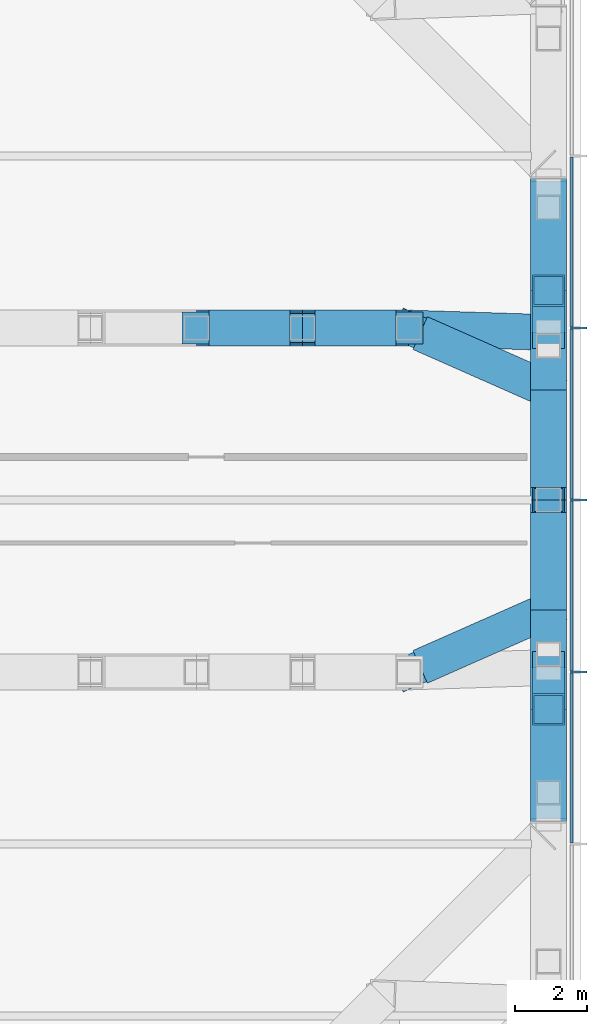
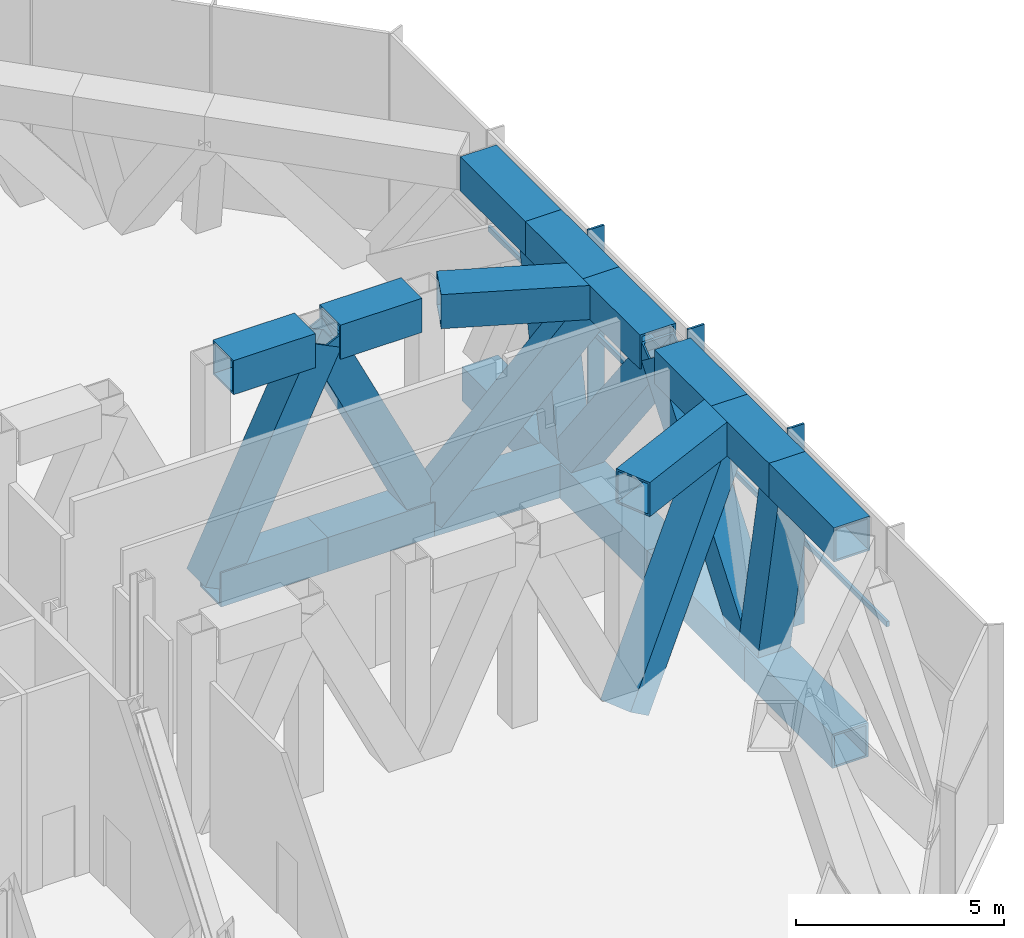
# One storey, part 6 of 17: 25 beams, 7 members, 1 element without a shape of its own.
"""IFC4 building model written with IfcOpenShell, lengths in metres."""

from ifc_helpers import new_model, si_unit, direction, frame, origin, origin_2d, place, context, subcontext, project, spatial, rectangle, hollow_rectangle, extrude, material, material_profile, profile_set, type_object, element, aggregate, save


model = new_model("IFC4")

# Units and contexts
model_context = context("Model", 3, precision=1e-05, world=origin(), true_north=direction((0.0, 1.0)))
body_context = subcontext(model_context, "Body", "Model", "MODEL_VIEW")
ifc_project = project(units=[si_unit("LENGTHUNIT", "METRE"), si_unit("AREAUNIT", "SQUARE_METRE"), si_unit("VOLUMEUNIT", "CUBIC_METRE"), si_unit("PLANEANGLEUNIT", "RADIAN"), si_unit("MASSUNIT", "GRAM", prefix="KILO")], contexts=[model_context])

# Site, building, storey
site_placement = place(None, origin())
site = spatial("IfcSite", under=ifc_project, at=site_placement, CompositionType="ELEMENT")
building_placement = place(site_placement, origin())
building = spatial("IfcBuilding", under=site, at=building_placement, Name="Cairn Pilgrim Tower", CompositionType="ELEMENT")
storey_placement = place(building_placement, frame((0.0, 0.0, 119.39990234375)))
storey = spatial("IfcBuildingStorey", under=building, at=storey_placement, Name="L29", CompositionType="ELEMENT", Elevation=119.39990234375)

# Beams
ifc_material_1 = material(Name="Structural steel S460M", Category="steel")
ifc_material_profile_1 = material_profile(ifc_material_1, hollow_rectangle(XDim=1.0, YDim=1.0, WallThickness=0.06005859375, at=origin_2d()), Name="BOX 1000x1000x60")
ifc_profile_set_1 = profile_set([ifc_material_profile_1], Name="Structural steel S460M")
beam_type_1 = type_object("IfcBeamType", Name="BOX 1000x1000x60 CHORD", PredefinedType="USERDEFINED", material=ifc_profile_set_1)
beam_1_placement = place(storey_placement, frame((35.10009765625, -4.170166015625, 5.35009765625), z_axis=(0.0, 1.0, 0.0), x_axis=(-1.0, 0.0, 0.0)))
element("IfcBeam", 1, at=beam_1_placement, inside=storey, type_object=beam_type_1, Name="BT29-E-TC1", ObjectType="CHORD", PredefinedType="USERDEFINED", context=body_context, shape_type="SweptSolid", body=[
    extrude(hollow_rectangle(XDim=1.0, YDim=1.0, WallThickness=0.06005859375, at=origin_2d()), origin(), (0.0, 0.0, 1.0), 3.126220703125),
])
beam_2_placement = place(storey_placement, frame((35.10009765625, -4.083984375, -0.75), z_axis=(0.0, 1.0, 0.0), x_axis=(-1.0, 0.0, 0.0)))
element("IfcBeam", 2, at=beam_2_placement, inside=storey, type_object=beam_type_1, Name="BT29-E-BC2", ObjectType="CHORD", PredefinedType="USERDEFINED", context=body_context, shape_type="SweptSolid", body=[
    extrude(hollow_rectangle(XDim=1.0, YDim=1.0, WallThickness=0.06005859375, at=origin_2d()), origin(), (0.0, 0.0, 1.0), 4.208251953125),
])
beam_3_placement = place(storey_placement, frame((35.10009765625, -1.0439453125, 5.35009765625), z_axis=(0.0, 1.0, 0.0), x_axis=(-1.0, 0.0, 0.0)))
element("IfcBeam", 3, at=beam_3_placement, inside=storey, type_object=beam_type_1, Name="BT29-E-TC2", ObjectType="CHORD", PredefinedType="USERDEFINED", context=body_context, shape_type="SweptSolid", body=[
    extrude(hollow_rectangle(XDim=1.0, YDim=1.0, WallThickness=0.06005859375, at=origin_2d()), origin(), (0.0, 0.0, 1.0), 2.768310546875),
])
beam_4_placement = place(storey_placement, frame((35.10009765625, 0.124267578125, -0.75), z_axis=(0.0, 1.0, 0.0), x_axis=(-1.0, 0.0, 0.0)))
element("IfcBeam", 4, at=beam_4_placement, inside=storey, type_object=beam_type_1, Name="BT29-E-BC3", ObjectType="CHORD", PredefinedType="USERDEFINED", context=body_context, shape_type="SweptSolid", body=[
    extrude(hollow_rectangle(XDim=1.0, YDim=1.0, WallThickness=0.06005859375, at=origin_2d()), origin(), (0.0, 0.0, 1.0), 4.67578125),
])
beam_5_placement = place(storey_placement, frame((35.10009765625, 1.724365234375, 5.35009765625), z_axis=(0.0, 1.0, 0.0), x_axis=(-1.0, 0.0, 0.0)))
element("IfcBeam", 5, at=beam_5_placement, inside=storey, type_object=beam_type_1, Name="BT29-E-TC3", ObjectType="CHORD", PredefinedType="USERDEFINED", context=body_context, shape_type="SweptSolid", body=[
    extrude(hollow_rectangle(XDim=1.0, YDim=1.0, WallThickness=0.06005859375, at=origin_2d()), origin(), (0.0, 0.0, 1.0), 2.7255859375),
])
beam_6_placement = place(storey_placement, frame((35.10009765625, 4.800048828125, -0.75), z_axis=(0.0, 1.0, 0.0), x_axis=(-1.0, 0.0, 0.0)))
element("IfcBeam", 6, at=beam_6_placement, inside=storey, type_object=beam_type_1, Name="BT29-E-BC4", ObjectType="CHORD", PredefinedType="USERDEFINED", context=body_context, shape_type="SweptSolid", body=[
    extrude(hollow_rectangle(XDim=1.0, YDim=1.0, WallThickness=0.06005859375, at=origin_2d()), origin(), (0.0, 0.0, 1.0), 4.675537109375),
])
beam_7_placement = place(storey_placement, frame((35.10009765625, 5.14990234375, 5.35009765625), z_axis=(0.0, 1.0, 0.0), x_axis=(-1.0, 0.0, 0.0)))
element("IfcBeam", 7, at=beam_7_placement, inside=storey, type_object=beam_type_1, Name="BT29-E-TC4", ObjectType="CHORD", PredefinedType="USERDEFINED", context=body_context, shape_type="SweptSolid", body=[
    extrude(hollow_rectangle(XDim=1.0, YDim=1.0, WallThickness=0.06005859375, at=origin_2d()), origin(), (0.0, 0.0, 1.0), 2.725830078125),
])
beam_8_placement = place(storey_placement, frame((35.10009765625, 9.4755859375, -0.75), z_axis=(0.0, 1.0, 0.0), x_axis=(-1.0, 0.0, 0.0)))
element("IfcBeam", 8, at=beam_8_placement, inside=storey, type_object=beam_type_1, Name="BT29-E-BC5", ObjectType="CHORD", PredefinedType="USERDEFINED", context=body_context, shape_type="SweptSolid", body=[
    extrude(hollow_rectangle(XDim=1.0, YDim=1.0, WallThickness=0.06005859375, at=origin_2d()), origin(), (0.0, 0.0, 1.0), 4.208251953125),
])
beam_9_placement = place(storey_placement, frame((35.10009765625, 7.875732421875, 5.35009765625), z_axis=(0.0, 1.0, 0.0), x_axis=(-1.0, 0.0, 0.0)))
element("IfcBeam", 9, at=beam_9_placement, inside=storey, type_object=beam_type_1, Name="BT29-E-TC5", ObjectType="CHORD", PredefinedType="USERDEFINED", context=body_context, shape_type="SweptSolid", body=[
    extrude(hollow_rectangle(XDim=1.0, YDim=1.0, WallThickness=0.06005859375, at=origin_2d()), origin(), (0.0, 0.0, 1.0), 2.76806640625),
])
beam_10_placement = place(storey_placement, frame((35.10009765625, 10.643798828125, 5.35009765625), z_axis=(0.0, 1.0, 0.0), x_axis=(-1.0, 0.0, 0.0)))
element("IfcBeam", 10, at=beam_10_placement, inside=storey, type_object=beam_type_1, Name="BT29-E-TC6", ObjectType="CHORD", PredefinedType="USERDEFINED", context=body_context, shape_type="SweptSolid", body=[
    extrude(hollow_rectangle(XDim=1.0, YDim=1.0, WallThickness=0.06005859375, at=origin_2d()), origin(), (0.0, 0.0, 1.0), 3.126220703125),
])
beam_11_placement = place(storey_placement, frame((31.52001953125, 0.1416015625, 5.35009765625), z_axis=(0.914604543737, 0.404349512892, 0.0), x_axis=(-0.404349512892, 0.914604543737, 0.0)))
element("IfcBeam", 11, at=beam_11_placement, inside=storey, type_object=beam_type_1, Name="TT29N0-TC5", ObjectType="CHORD", PredefinedType="USERDEFINED", context=body_context, shape_type="SweptSolid", body=[
    extrude(hollow_rectangle(XDim=1.0, YDim=1.0, WallThickness=0.06005859375, at=origin_2d()), origin(), (0.0, 0.0, 1.0), 3.914306640625),
])
beam_12_placement = place(storey_placement, frame((25.27490234375, 9.60009765625, -0.75), z_axis=(1.0, 0.0, 0.0), x_axis=(0.0, 1.0, 0.0)))
element("IfcBeam", 12, at=beam_12_placement, inside=storey, type_object=beam_type_1, Name="TT29N96-BC3", ObjectType="CHORD", PredefinedType="USERDEFINED", context=body_context, shape_type="SweptSolid", body=[
    extrude(hollow_rectangle(XDim=1.0, YDim=1.0, WallThickness=0.06005859375, at=origin_2d()), origin(), (0.0, 0.0, 1.0), 2.962646484375),
])
beam_13_placement = place(storey_placement, frame((25.625, 9.60009765625, 5.35009765625), z_axis=(1.0, 0.0, 0.0), x_axis=(0.0, 1.0, 0.0)))
element("IfcBeam", 13, at=beam_13_placement, inside=storey, type_object=beam_type_1, Name="TT29N96-TC3", ObjectType="CHORD", PredefinedType="USERDEFINED", context=body_context, shape_type="SweptSolid", body=[
    extrude(hollow_rectangle(XDim=1.0, YDim=1.0, WallThickness=0.06005859375, at=origin_2d()), origin(), (0.0, 0.0, 1.0), 2.262451171875),
])
beam_14_placement = place(storey_placement, frame((28.237548828125, 9.60009765625, -0.75), z_axis=(1.0, 0.0, 0.0), x_axis=(0.0, 1.0, 0.0)))
element("IfcBeam", 14, at=beam_14_placement, inside=storey, type_object=beam_type_1, Name="TT29N96-BC4", ObjectType="CHORD", PredefinedType="USERDEFINED", context=body_context, shape_type="SweptSolid", body=[
    extrude(hollow_rectangle(XDim=1.0, YDim=1.0, WallThickness=0.06005859375, at=origin_2d()), origin(), (0.0, 0.0, 1.0), 2.96240234375),
])
beam_15_placement = place(storey_placement, frame((28.58740234375, 9.60009765625, 5.35009765625), z_axis=(1.0, 0.0, 0.0), x_axis=(0.0, 1.0, 0.0)))
element("IfcBeam", 15, at=beam_15_placement, inside=storey, type_object=beam_type_1, Name="TT29N96-TC4", ObjectType="CHORD", PredefinedType="USERDEFINED", context=body_context, shape_type="SweptSolid", body=[
    extrude(hollow_rectangle(XDim=1.0, YDim=1.0, WallThickness=0.06005859375, at=origin_2d()), origin(), (0.0, 0.0, 1.0), 2.2626953125),
])
beam_16_placement = place(storey_placement, frame((31.199951171875, 9.60009765625, -0.75), z_axis=(0.999490790141, -0.031908626164, 0.0), x_axis=(0.031908626164, 0.999490790141, 0.0)))
element("IfcBeam", 16, at=beam_16_placement, inside=storey, type_object=beam_type_1, Name="TT29N96-BC5", ObjectType="CHORD", PredefinedType="USERDEFINED", context=body_context, shape_type="SweptSolid", body=[
    extrude(hollow_rectangle(XDim=1.0, YDim=1.0, WallThickness=0.06005859375, at=origin_2d()), origin(), (0.0, 0.0, 1.0), 3.902099609375),
])
beam_17_placement = place(storey_placement, frame((31.52001953125, 9.45849609375, 5.35009765625), z_axis=(0.914604543737, -0.404349512892, 0.0), x_axis=(0.404349512892, 0.914604543737, 0.0)))
element("IfcBeam", 17, at=beam_17_placement, inside=storey, type_object=beam_type_1, Name="TT29N96-TC5", ObjectType="CHORD", PredefinedType="USERDEFINED", context=body_context, shape_type="SweptSolid", body=[
    extrude(hollow_rectangle(XDim=1.0, YDim=1.0, WallThickness=0.06005859375, at=origin_2d()), origin(), (0.0, 0.0, 1.0), 3.914306640625),
])
ifc_material_profile_2 = material_profile(ifc_material_1, hollow_rectangle(XDim=0.89990234375, YDim=0.89990234375, WallThickness=0.050048828125, at=origin_2d()), Name="BOX 900x900x50")
ifc_profile_set_2 = profile_set([ifc_material_profile_2], Name="Structural steel S460M")
beam_type_2 = type_object("IfcBeamType", Name="BOX 900x900x50 DIAGONAL", PredefinedType="USERDEFINED", material=ifc_profile_set_2)
beam_18_placement = place(storey_placement, frame((35.10009765625, -1.0439453125, 5.35009765625), z_axis=(0.0, 0.188089212719, -0.982151947541), x_axis=(-1.0, 0.0, 0.0)))
element("IfcBeam", 18, at=beam_18_placement, inside=storey, type_object=beam_type_2, Name="BT29-E-D2", ObjectType="DIAGONAL", PredefinedType="USERDEFINED", context=body_context, shape_type="SweptSolid", body=[
    extrude(hollow_rectangle(XDim=0.89990234375, YDim=0.89990234375, WallThickness=0.050048828125, at=origin_2d()), origin(), (0.0, 0.0, 1.0), 6.2109375),
])
beam_19_placement = place(storey_placement, frame((35.10009765625, 0.124267578125, -0.75), z_axis=(0.0, 0.608352851952, 0.793666685405), x_axis=(-1.0, 0.0, 0.0)))
element("IfcBeam", 19, at=beam_19_placement, inside=storey, type_object=beam_type_2, Name="BT29-E-D3", ObjectType="DIAGONAL", PredefinedType="USERDEFINED", context=body_context, shape_type="SweptSolid", body=[
    extrude(hollow_rectangle(XDim=0.89990234375, YDim=0.89990234375, WallThickness=0.050048828125, at=origin_2d()), origin(), (0.0, 0.0, 1.0), 7.68603515625),
])
beam_20_placement = place(storey_placement, frame((35.10009765625, 4.800048828125, 5.35009765625), z_axis=(0.0, 0.608332842725, -0.793682022262), x_axis=(-1.0, 0.0, 0.0)))
element("IfcBeam", 20, at=beam_20_placement, inside=storey, type_object=beam_type_2, Name="BT29-E-D4", ObjectType="DIAGONAL", PredefinedType="USERDEFINED", context=body_context, shape_type="SweptSolid", body=[
    extrude(hollow_rectangle(XDim=0.89990234375, YDim=0.89990234375, WallThickness=0.050048828125, at=origin_2d()), origin(), (0.0, 0.0, 1.0), 7.685791015625),
])
beam_21_placement = place(storey_placement, frame((35.10009765625, 9.4755859375, -0.75), z_axis=(0.0, 0.188089212719, 0.982151947541), x_axis=(-1.0, 0.0, 0.0)))
element("IfcBeam", 21, at=beam_21_placement, inside=storey, type_object=beam_type_2, Name="BT29-E-D5", ObjectType="DIAGONAL", PredefinedType="USERDEFINED", context=body_context, shape_type="SweptSolid", body=[
    extrude(hollow_rectangle(XDim=0.89990234375, YDim=0.89990234375, WallThickness=0.050048828125, at=origin_2d()), origin(), (0.0, 0.0, 1.0), 6.2109375),
])
beam_22_placement = place(storey_placement, frame((31.199951171875, 0.0, -0.75), z_axis=(0.524013673112, 0.231681287837, 0.819593467066), x_axis=(-0.404368804465, 0.914596014629, 0.0)))
element("IfcBeam", 22, at=beam_22_placement, inside=storey, type_object=beam_type_2, Name="TT29N0-D5", ObjectType="DIAGONAL", PredefinedType="USERDEFINED", context=body_context, shape_type="SweptSolid", body=[
    extrude(hollow_rectangle(XDim=0.89990234375, YDim=0.89990234375, WallThickness=0.050048828125, at=origin_2d()), origin(), (0.0, 0.0, 1.0), 7.44287109375),
])
for number, where, z_axis, x_axis, name in (
    (23, (25.27490234375, 9.60009765625, -0.75), (0.43687316895, 0.0, 0.899523114907), (0.0, 1.0, 0.0), "TT29N96-D3"),
    (24, (28.237548828125, 9.60009765625, 5.35009765625), (0.436844038279, 0.0, -0.899537262274), (0.0, 1.0, 0.0), "TT29N96-D4"),
):
    element("IfcBeam", number, at=place(storey_placement, frame(where, z_axis=z_axis, x_axis=x_axis)), inside=storey, type_object=beam_type_2, Name=name, ObjectType="DIAGONAL", PredefinedType="USERDEFINED", context=body_context, shape_type="SweptSolid", body=[
        extrude(hollow_rectangle(XDim=0.89990234375, YDim=0.89990234375, WallThickness=0.050048828125, at=origin_2d()), origin(), (0.0, 0.0, 1.0), 6.781494140625),
    ])
beam_23_placement = place(storey_placement, frame((31.199951171875, 9.60009765625, -0.75), z_axis=(0.524013673112, -0.231681287837, 0.819593467066), x_axis=(0.404368804465, 0.914596014629, 0.0)))
element("IfcBeam", 25, at=beam_23_placement, inside=storey, type_object=beam_type_2, Name="TT29N96-D5", ObjectType="DIAGONAL", PredefinedType="USERDEFINED", context=body_context, shape_type="SweptSolid", body=[
    extrude(hollow_rectangle(XDim=0.89990234375, YDim=0.89990234375, WallThickness=0.050048828125, at=origin_2d()), origin(), (0.0, 0.0, 1.0), 7.44287109375),
])

# Curtain wall, members
ifc_material_2 = material(Name="Aluminium alloy 6063-T6 bronze anodised with Bronze tinted laminated low-E glass 8+16+8.8", Category="aluminium")
curtain_wall_type = type_object("IfcCurtainWallType", Name="PLANT LOUVRE CURTAIN WALL", PredefinedType="NOTDEFINED", material=ifc_material_2)
curtain_wall_placement = place(storey_placement, origin())
curtain_wall = element("IfcCurtainWall", 26, at=curtain_wall_placement, inside=storey, type_object=curtain_wall_type, Name="Plant Louvre Curtain Wall E", PredefinedType="NOTDEFINED")
ifc_material_3 = material(Name="Aluminium alloy 6063-T6 bronze anodised", Category="aluminium")
ifc_material_profile_3 = material_profile(ifc_material_3, rectangle(XDim=0.449951171875, YDim=0.06005859375, at=origin_2d()), Name="FIN MULLION 60x450 BRONZE")
ifc_profile_set_3 = profile_set([ifc_material_profile_3], Name="Aluminium alloy 6063-T6 bronze anodised")
member_type_1 = type_object("IfcMemberType", Name="FIN MULLION 60x450 BRONZE", PredefinedType="MULLION", material=ifc_profile_set_3)
member_1_placement = place(storey_placement, frame((35.945068359375, 0.0, 0.0), z_axis=(0.0, 0.0, 1.0), x_axis=(1.0, 0.0, 0.0)))
member_1 = element("IfcMember", 27, at=member_1_placement, type_object=member_type_1, Name="Fin mullion E3", PredefinedType="MULLION", context=body_context, shape_type="SweptSolid", body=[
    extrude(rectangle(XDim=0.449951171875, YDim=0.06005859375, at=origin_2d()), origin(), (0.0, 0.0, 1.0), 5.85009765625),
])
member_2_placement = place(storey_placement, frame((35.945068359375, 4.800048828125, 0.0), z_axis=(0.0, 0.0, 1.0), x_axis=(1.0, 0.0, 0.0)))
member_2 = element("IfcMember", 28, at=member_2_placement, type_object=member_type_1, Name="Fin mullion E4", PredefinedType="MULLION", context=body_context, shape_type="SweptSolid", body=[
    extrude(rectangle(XDim=0.449951171875, YDim=0.06005859375, at=origin_2d()), origin(), (0.0, 0.0, 1.0), 5.85009765625),
])
member_3_placement = place(storey_placement, frame((35.945068359375, 9.60009765625, 0.0), z_axis=(0.0, 0.0, 1.0), x_axis=(1.0, 0.0, 0.0)))
member_3 = element("IfcMember", 29, at=member_3_placement, type_object=member_type_1, Name="Fin mullion E5", PredefinedType="MULLION", context=body_context, shape_type="SweptSolid", body=[
    extrude(rectangle(XDim=0.449951171875, YDim=0.06005859375, at=origin_2d()), origin(), (0.0, 0.0, 1.0), 5.85009765625),
])
ifc_material_profile_4 = material_profile(ifc_material_3, rectangle(XDim=0.080078125, YDim=0.14990234375, at=origin_2d()), Name="TRANSOM 80x150 BRONZE")
ifc_profile_set_4 = profile_set([ifc_material_profile_4], Name="Aluminium alloy 6063-T6 bronze anodised")
member_type_2 = type_object("IfcMemberType", Name="TRANSOM 80x150 BRONZE", PredefinedType="USERDEFINED", material=ifc_profile_set_4)
member_4_placement = place(storey_placement, frame((35.75, -4.77001953125, 3.0), z_axis=(0.0, 1.0, 0.0), x_axis=(-1.0, 0.0, 0.0)))
member_4 = element("IfcMember", 30, at=member_4_placement, type_object=member_type_2, Name="Transom E2", ObjectType="TRANSOM", PredefinedType="USERDEFINED", context=body_context, shape_type="SweptSolid", body=[
    extrude(rectangle(XDim=0.080078125, YDim=0.14990234375, at=origin_2d()), origin(), (0.0, 0.0, 1.0), 4.739990234375),
])
member_5_placement = place(storey_placement, frame((35.75, 0.030029296875, 3.0), z_axis=(0.0, 1.0, 0.0), x_axis=(-1.0, 0.0, 0.0)))
member_5 = element("IfcMember", 31, at=member_5_placement, type_object=member_type_2, Name="Transom E3", ObjectType="TRANSOM", PredefinedType="USERDEFINED", context=body_context, shape_type="SweptSolid", body=[
    extrude(rectangle(XDim=0.080078125, YDim=0.14990234375, at=origin_2d()), origin(), (0.0, 0.0, 1.0), 4.739990234375),
])
member_6_placement = place(storey_placement, frame((35.75, 4.830078125, 3.0), z_axis=(0.0, 1.0, 0.0), x_axis=(-1.0, 0.0, 0.0)))
member_6 = element("IfcMember", 32, at=member_6_placement, type_object=member_type_2, Name="Transom E4", ObjectType="TRANSOM", PredefinedType="USERDEFINED", context=body_context, shape_type="SweptSolid", body=[
    extrude(rectangle(XDim=0.080078125, YDim=0.14990234375, at=origin_2d()), origin(), (0.0, 0.0, 1.0), 4.739990234375),
])
member_7_placement = place(storey_placement, frame((35.75, 9.6298828125, 3.0), z_axis=(0.0, 1.0, 0.0), x_axis=(-1.0, 0.0, 0.0)))
member_7 = element("IfcMember", 33, at=member_7_placement, type_object=member_type_2, Name="Transom E5", ObjectType="TRANSOM", PredefinedType="USERDEFINED", context=body_context, shape_type="SweptSolid", body=[
    extrude(rectangle(XDim=0.080078125, YDim=0.14990234375, at=origin_2d()), origin(), (0.0, 0.0, 1.0), 4.740234375),
])
aggregate(curtain_wall, [member_1, member_2, member_3, member_4, member_5, member_6, member_7])

save(model, "model.ifc")
